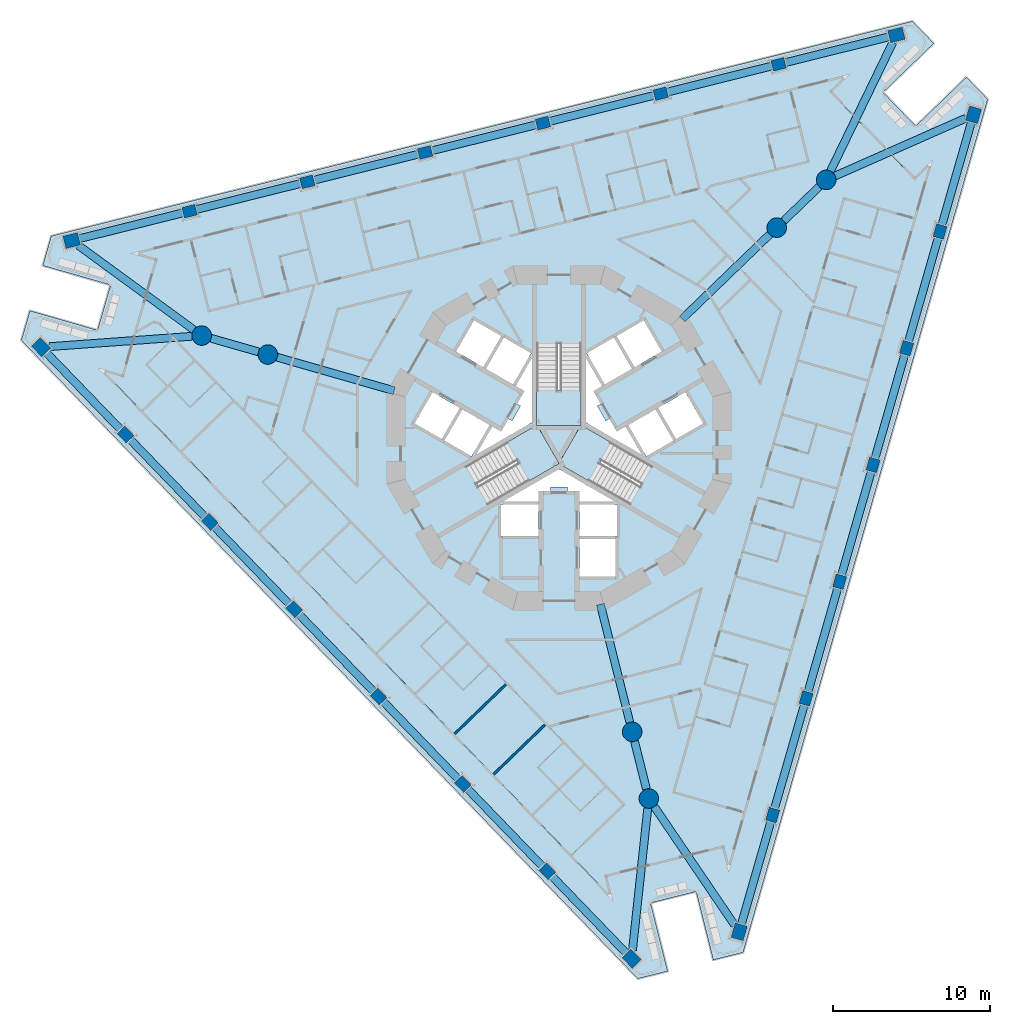
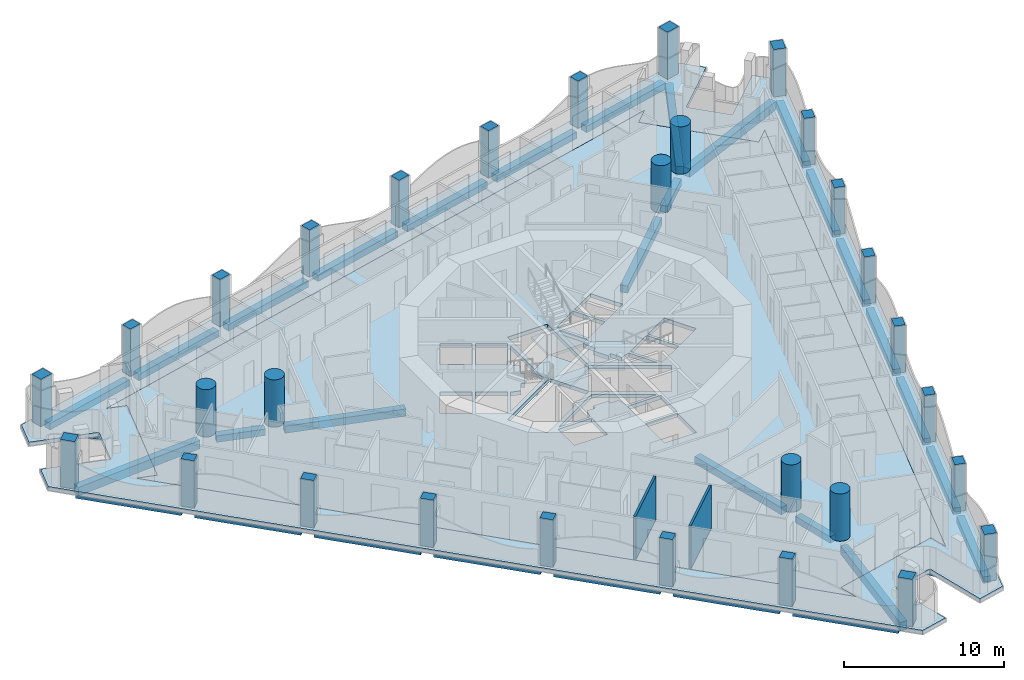
# One storey, part 1 of 19: 33 beams, 30 columns, 6 slabs, 2 walls, 3 elements without a shape of their own.
"""IFC4 building model written with IfcOpenShell, lengths in metres."""

from ifc_helpers import new_model, si_unit, direction, frame, frame_2d, origin, origin_2d, place, context, subcontext, project, spatial, polyline, rectangle, circle, outline, extrude, material, layer, layer_set, material_profile, profile_set, type_object, element, aggregate, save


model = new_model("IFC4")

# Units and contexts
model_context = context("Model", 3, precision=1e-05, world=origin(), true_north=direction((0.0, 1.0)))
body_context = subcontext(model_context, "Body", "Model", "MODEL_VIEW")
ifc_project = project(units=[si_unit("LENGTHUNIT", "METRE"), si_unit("AREAUNIT", "SQUARE_METRE"), si_unit("VOLUMEUNIT", "CUBIC_METRE"), si_unit("PLANEANGLEUNIT", "RADIAN"), si_unit("MASSUNIT", "GRAM", prefix="KILO")], contexts=[model_context])

# Site, building, storey
site_placement = place(None, origin())
site = spatial("IfcSite", under=ifc_project, at=site_placement, CompositionType="ELEMENT")
building_placement = place(site_placement, origin())
building = spatial("IfcBuilding", under=site, at=building_placement, Name="Trine Commons Tower", CompositionType="ELEMENT")
storey_placement = place(building_placement, frame((0.0, 0.0, 98.10009765625)))
storey = spatial("IfcBuildingStorey", under=building, at=storey_placement, Name="L24", CompositionType="ELEMENT", Elevation=98.10009765625)

# Columns
ifc_material_1 = material(Name="Concrete C70/85", Category="concrete")
ifc_material_profile_1 = material_profile(ifc_material_1, rectangle(XDim=0.85009765625, YDim=0.699951171875, at=origin_2d()), Name="RC 850x700")
ifc_profile_set_1 = profile_set([ifc_material_profile_1], Name="Concrete C70/85")
column_type_1 = type_object("IfcColumnType", Name="RC column 850x700, C70/85", PredefinedType="COLUMN", material=ifc_profile_set_1)
for number, where, z_axis, x_axis, name in (
    (1, (79.251708984375, 34.81640625, 0.0), (0.0, 0.0, 1.0), (-0.694658370459, 0.719339800339, 0.0), "Column PC3-02 L24"),
    (2, (73.86279296875, 40.396728515625, 0.0), (0.0, 0.0, 1.0), (-0.694658370459, 0.719339800339, 0.0), "Column PC3-03 L24"),
    (3, (68.473876953125, 45.977294921875, 0.0), (0.0, 0.0, 1.0), (-0.694658370459, 0.719339800339, 0.0), "Column PC3-04 L24"),
    (4, (63.0849609375, 51.5576171875, 0.0), (0.0, 0.0, 1.0), (-0.694658370459, 0.719339800339, 0.0), "Column PC3-05 L24"),
    (5, (57.696044921875, 57.137939453125, 0.0), (0.0, 0.0, 1.0), (-0.694658370459, 0.719339800339, 0.0), "Column PC3-06 L24"),
    (6, (52.30712890625, 62.71826171875, 0.0), (0.0, 0.0, 1.0), (-0.694658370459, 0.719339800339, 0.0), "Column PC3-07 L24"),
    (7, (56.3994140625, 76.98974609375, 0.0), (0.0, 0.0, 1.0), (0.970295726276, 0.2419218956, 0.0), "Column PC3-10 L24"),
    (8, (63.926513671875, 78.86669921875, 0.0), (0.0, 0.0, 1.0), (0.970295726276, 0.2419218956, 0.0), "Column PC3-11 L24"),
    (9, (71.453857421875, 80.743408203125, 0.0), (0.0, 0.0, 1.0), (0.970295726276, 0.2419218956, 0.0), "Column PC3-12 L24"),
    (10, (78.981201171875, 82.6201171875, 0.0), (0.0, 0.0, 1.0), (0.970295726276, 0.2419218956, 0.0), "Column PC3-13 L24"),
    (11, (86.50830078125, 84.496826171875, 0.0), (0.0, 0.0, 1.0), (0.970295726276, 0.2419218956, 0.0), "Column PC3-14 L24"),
    (12, (94.035400390625, 86.37353515625, 0.0), (0.0, 0.0, 1.0), (0.970295726276, 0.2419218956, 0.0), "Column PC3-15 L24"),
    (13, (104.348876953125, 75.69384765625, 0.0), (0.0, 0.0, 1.0), (0.275637355817, 0.961261695938, 0.0), "Column PC3-18 L24"),
    (14, (102.210693359375, 68.23681640625, 0.0), (0.0, 0.0, 1.0), (0.275637355817, 0.961261695938, 0.0), "Column PC3-19 L24"),
    (15, (100.072265625, 60.779541015625, 0.0), (0.0, 0.0, 1.0), (0.275637355817, 0.961261695938, 0.0), "Column PC3-20 L24"),
    (16, (97.93408203125, 53.322509765625, 0.0), (0.0, 0.0, 1.0), (0.275637355817, 0.961261695938, 0.0), "Column PC3-21 L24"),
    (17, (95.795654296875, 45.865234375, 0.0), (0.0, 0.0, 1.0), (0.275637355817, 0.961261695938, 0.0), "Column PC3-22 L24"),
    (18, (93.657470703125, 38.408203125, 0.0), (0.0, 0.0, 1.0), (0.275637355817, 0.961261695938, 0.0), "Column PC3-23 L24"),
):
    element("IfcColumn", number, at=place(storey_placement, frame(where, z_axis=z_axis, x_axis=x_axis)), inside=storey, type_object=column_type_1, Name=name, PredefinedType="COLUMN", context=body_context, shape_type="SweptSolid", body=[
        extrude(rectangle(XDim=0.85009765625, YDim=0.699951171875, at=origin_2d()), origin(), (0.0, 0.0, 1.0), 3.599853515625),
    ])
ifc_material_profile_2 = material_profile(ifc_material_1, rectangle(XDim=0.949951171875, YDim=0.800048828125, at=origin_2d()), Name="RC 950x800")
ifc_profile_set_2 = profile_set([ifc_material_profile_2], Name="Concrete C70/85")
column_type_2 = type_object("IfcColumnType", Name="RC column 950x800, C70/85", PredefinedType="COLUMN", material=ifc_profile_set_2)
for number, where, z_axis, x_axis, name in (
    (19, (84.640625, 29.236083984375, 0.0), (0.0, 0.0, 1.0), (-0.694658370459, 0.719339800339, 0.0), "Column PC3-01 L24"),
    (20, (46.918212890625, 68.298583984375, 0.0), (0.0, 0.0, 1.0), (-0.694658370459, 0.719339800339, 0.0), "Column PC3-08 L24"),
    (21, (48.872314453125, 75.113037109375, 0.0), (0.0, 0.0, 1.0), (0.970295726276, 0.2419218956, 0.0), "Column PC3-09 L24"),
    (22, (101.562744140625, 88.250244140625, 0.0), (0.0, 0.0, 1.0), (0.970295726276, 0.2419218956, 0.0), "Column PC3-16 L24"),
    (23, (106.4873046875, 83.15087890625, 0.0), (0.0, 0.0, 1.0), (0.275637355817, 0.961261695938, 0.0), "Column PC3-17 L24"),
    (24, (91.51904296875, 30.950927734375, 0.0), (0.0, 0.0, 1.0), (0.275637355817, 0.961261695938, 0.0), "Column PC3-24 L24"),
):
    element("IfcColumn", number, at=place(storey_placement, frame(where, z_axis=z_axis, x_axis=x_axis)), inside=storey, type_object=column_type_2, Name=name, PredefinedType="COLUMN", context=body_context, shape_type="SweptSolid", body=[
        extrude(rectangle(XDim=0.949951171875, YDim=0.800048828125, at=origin_2d()), origin(), (0.0, 0.0, 1.0), 3.599853515625),
    ])
ifc_material_profile_3 = material_profile(ifc_material_1, circle(Radius=0.625, at=origin_2d()), Name="RC round 1250")
ifc_profile_set_3 = profile_set([ifc_material_profile_3], Name="Concrete C70/85")
column_type_3 = type_object("IfcColumnType", Name="RC round column 1250 mm, C70/85", PredefinedType="COLUMN", material=ifc_profile_set_3)
for number, where, z_axis, x_axis, name in (
    (25, (84.6806640625, 43.726806640625, 0.0), (0.0, 0.0, 1.0), (1.0, 0.0, 0.0), "Column WC3-1 L24"),
    (26, (85.742919921875, 39.4658203125, 0.0), (0.0, 0.0, 1.0), (1.0, 0.0, 0.0), "Column WC3-2 L24"),
    (27, (93.917724609375, 75.940185546875, 0.0), (0.0, 0.0, 1.0), (1.0, 0.0, 0.0), "Column WC3-3 L24"),
    (28, (97.07666015625, 78.99072265625, 0.0), (0.0, 0.0, 1.0), (1.0, 0.0, 0.0), "Column WC3-4 L24"),
    (29, (61.401611328125, 67.8330078125, 0.0), (0.0, 0.0, 1.0), (1.0, 0.0, 0.0), "Column WC3-5 L24"),
    (30, (57.180419921875, 69.04345703125, 0.0), (0.0, 0.0, 1.0), (1.0, 0.0, 0.0), "Column WC3-6 L24"),
):
    element("IfcColumn", number, at=place(storey_placement, frame(where, z_axis=z_axis, x_axis=x_axis)), inside=storey, type_object=column_type_3, Name=name, PredefinedType="COLUMN", context=body_context, shape_type="SweptSolid", body=[
        extrude(circle(Radius=0.625, at=origin_2d()), origin(), (0.0, 0.0, 1.0), 3.599853515625),
    ])

# Beams
ifc_material_2 = material(Name="Concrete C50/60", Category="concrete")
ifc_material_profile_4 = material_profile(ifc_material_2, rectangle(XDim=0.5, YDim=0.5, at=origin_2d()), Name="RC 500x500")
ifc_profile_set_4 = profile_set([ifc_material_profile_4], Name="Concrete C50/60")
beam_type_1 = type_object("IfcBeamType", Name="RC beam 500x500, C50/60", PredefinedType="BEAM", material=ifc_profile_set_4)
beam_1_placement = place(storey_placement, frame((84.310791015625, 29.57763671875, -0.550048828125), z_axis=(-0.694663760793, 0.719334594915, 0.0), x_axis=(-0.719334594915, -0.694663760793, 0.0)))
element("IfcBeam", 31, at=beam_1_placement, inside=storey, type_object=beam_type_1, Name="Beam EB3-01 L24", PredefinedType="BEAM", context=body_context, shape_type="SweptSolid", body=[
    extrude(rectangle(XDim=0.5, YDim=0.5, at=origin_2d()), origin(), (0.0, 0.0, 1.0), 6.85791015625),
])
for number, where, z_axis, x_axis, name in (
    (32, (78.95654296875, 35.1220703125, -0.550048828125), (-0.694664521959, 0.719333859854, 0.0), (-0.719333859854, -0.694664521959, 0.0), "Beam EB3-02 L24"),
    (33, (73.567626953125, 40.702392578125, -0.550048828125), (-0.694664521959, 0.719333859854, 0.0), (-0.719333859854, -0.694664521959, 0.0), "Beam EB3-03 L24"),
    (34, (68.1787109375, 46.282958984375, -0.550048828125), (-0.694664521959, 0.719333859854, 0.0), (-0.719333859854, -0.694664521959, 0.0), "Beam EB3-04 L24"),
    (35, (62.789794921875, 51.86328125, -0.550048828125), (-0.694664521959, 0.719333859854, 0.0), (-0.719333859854, -0.694664521959, 0.0), "Beam EB3-05 L24"),
    (36, (57.40087890625, 57.443603515625, -0.550048828125), (-0.694664521959, 0.719333859854, 0.0), (-0.719333859854, -0.694664521959, 0.0), "Beam EB3-06 L24"),
):
    element("IfcBeam", number, at=place(storey_placement, frame(where, z_axis=z_axis, x_axis=x_axis)), inside=storey, type_object=beam_type_1, Name=name, PredefinedType="BEAM", context=body_context, shape_type="SweptSolid", body=[
        extrude(rectangle(XDim=0.5, YDim=0.5, at=origin_2d()), origin(), (0.0, 0.0, 1.0), 6.90771484375),
    ])
for number, where, z_axis, x_axis, name in (
    (37, (52.011962890625, 63.02392578125, -0.550048828125), (-0.694645339139, 0.71935238431, 0.0), (-0.71935238431, -0.694645339139, 0.0), "Beam EB3-07 L24"),
    (38, (49.3330078125, 75.22802734375, -0.550048828125), (0.970299359004, 0.241907325057, 0.0), (-0.241907325057, 0.970299359004, 0.0), "Beam EB3-08 L24"),
):
    element("IfcBeam", number, at=place(storey_placement, frame(where, z_axis=z_axis, x_axis=x_axis)), inside=storey, type_object=beam_type_1, Name=name, PredefinedType="BEAM", context=body_context, shape_type="SweptSolid", body=[
        extrude(rectangle(XDim=0.5, YDim=0.5, at=origin_2d()), origin(), (0.0, 0.0, 1.0), 6.857666015625),
    ])
beam_2_placement = place(storey_placement, frame((56.811767578125, 77.092529296875, -0.550048828125), z_axis=(0.970285783578, 0.241961770093, 0.0), x_axis=(-0.241961770093, 0.970285783578, 0.0)))
element("IfcBeam", 39, at=beam_2_placement, inside=storey, type_object=beam_type_1, Name="Beam EB3-09 L24", PredefinedType="BEAM", context=body_context, shape_type="SweptSolid", body=[
    extrude(rectangle(XDim=0.5, YDim=0.5, at=origin_2d()), origin(), (0.0, 0.0, 1.0), 6.90771484375),
])
for number, where, z_axis, x_axis, name in (
    (40, (64.339111328125, 78.969482421875, -0.550048828125), (0.970302376924, 0.241895219745, 0.0), (-0.241895219745, 0.970302376924, 0.0), "Beam EB3-10 L24"),
    (41, (71.8662109375, 80.84619140625, -0.550048828125), (0.970294080751, 0.241928495346, 0.0), (-0.241928495346, 0.970294080751, 0.0), "Beam EB3-11 L24"),
    (42, (79.3935546875, 82.722900390625, -0.550048828125), (0.970294080751, 0.241928495346, 0.0), (-0.241928495346, 0.970294080751, 0.0), "Beam EB3-12 L24"),
    (43, (86.920654296875, 84.599609375, -0.550048828125), (0.970294080751, 0.241928495346, 0.0), (-0.241928495346, 0.970294080751, 0.0), "Beam EB3-13 L24"),
):
    element("IfcBeam", number, at=place(storey_placement, frame(where, z_axis=z_axis, x_axis=x_axis)), inside=storey, type_object=beam_type_1, Name=name, PredefinedType="BEAM", context=body_context, shape_type="SweptSolid", body=[
        extrude(rectangle(XDim=0.5, YDim=0.5, at=origin_2d()), origin(), (0.0, 0.0, 1.0), 6.907470703125),
    ])
for number, where, z_axis, x_axis, name in (
    (44, (94.447998046875, 86.476318359375, -0.550048828125), (0.970288918196, 0.241949199679, 0.0), (-0.241949199679, 0.970288918196, 0.0), "Beam EB3-14 L24"),
    (45, (106.356201171875, 82.6943359375, -0.550048828125), (-0.275623797229, -0.961265583697, 0.0), (0.961265583697, -0.275623797229, 0.0), "Beam EB3-15 L24"),
):
    element("IfcBeam", number, at=place(storey_placement, frame(where, z_axis=z_axis, x_axis=x_axis)), inside=storey, type_object=beam_type_1, Name=name, PredefinedType="BEAM", context=body_context, shape_type="SweptSolid", body=[
        extrude(rectangle(XDim=0.5, YDim=0.5, at=origin_2d()), origin(), (0.0, 0.0, 1.0), 6.857666015625),
    ])
for number, where, z_axis, x_axis, name in (
    (46, (104.231689453125, 75.285400390625, -0.550048828125), (-0.275640588881, -0.961260768866, 0.0), (0.961260768866, -0.275640588881, 0.0), "Beam EB3-16 L24"),
    (47, (102.093505859375, 67.828125, -0.550048828125), (-0.275640588881, -0.961260768866, 0.0), (0.961260768866, -0.275640588881, 0.0), "Beam EB3-17 L24"),
    (48, (99.955078125, 60.37109375, -0.550048828125), (-0.275640588881, -0.961260768866, 0.0), (0.961260768866, -0.275640588881, 0.0), "Beam EB3-18 L24"),
    (49, (97.81689453125, 52.913818359375, -0.550048828125), (-0.275640588881, -0.961260768866, 0.0), (0.961260768866, -0.275640588881, 0.0), "Beam EB3-19 L24"),
    (50, (95.6787109375, 45.456787109375, -0.550048828125), (-0.275673246186, -0.961251403816, 0.0), (0.961251403816, -0.275673246186, 0.0), "Beam EB3-20 L24"),
):
    element("IfcBeam", number, at=place(storey_placement, frame(where, z_axis=z_axis, x_axis=x_axis)), inside=storey, type_object=beam_type_1, Name=name, PredefinedType="BEAM", context=body_context, shape_type="SweptSolid", body=[
        extrude(rectangle(XDim=0.5, YDim=0.5, at=origin_2d()), origin(), (0.0, 0.0, 1.0), 6.90771484375),
    ])
beam_3_placement = place(storey_placement, frame((93.540283203125, 37.99951171875, -0.550048828125), z_axis=(-0.275666126975, -0.961253445476, 0.0), x_axis=(0.961253445476, -0.275666126975, 0.0)))
element("IfcBeam", 51, at=beam_3_placement, inside=storey, type_object=beam_type_1, Name="Beam EB3-21 L24", PredefinedType="BEAM", context=body_context, shape_type="SweptSolid", body=[
    extrude(rectangle(XDim=0.5, YDim=0.5, at=origin_2d()), origin(), (0.0, 0.0, 1.0), 6.857421875),
])
beam_4_placement = place(storey_placement, frame((84.831787109375, 43.12109375, -0.550048828125), z_axis=(0.241895853777, -0.97030221886, 0.0), x_axis=(0.97030221886, 0.241895853777, 0.0)))
element("IfcBeam", 52, at=beam_4_placement, inside=storey, type_object=beam_type_1, Name="Beam RB3-02 L24", PredefinedType="BEAM", context=body_context, shape_type="SweptSolid", body=[
    extrude(rectangle(XDim=0.5, YDim=0.5, at=origin_2d()), origin(), (0.0, 0.0, 1.0), 3.142822265625),
])
beam_5_placement = place(storey_placement, frame((94.366943359375, 76.3740234375, -0.550048828125), z_axis=(0.719314434863, 0.694684636218, 0.0), x_axis=(-0.694684636218, 0.719314434863, 0.0)))
element("IfcBeam", 53, at=beam_5_placement, inside=storey, type_object=beam_type_1, Name="Beam RB3-04 L24", PredefinedType="BEAM", context=body_context, shape_type="SweptSolid", body=[
    extrude(rectangle(XDim=0.5, YDim=0.5, at=origin_2d()), origin(), (0.0, 0.0, 1.0), 3.142333984375),
])
beam_6_placement = place(storey_placement, frame((60.80126953125, 68.005126953125, -0.550048828125), z_axis=(-0.961274333375, 0.275593280026, 0.0), x_axis=(-0.275593280026, -0.961274333375, 0.0)))
element("IfcBeam", 54, at=beam_6_placement, inside=storey, type_object=beam_type_1, Name="Beam RB3-06 L24", PredefinedType="BEAM", context=body_context, shape_type="SweptSolid", body=[
    extrude(rectangle(XDim=0.5, YDim=0.5, at=origin_2d()), origin(), (0.0, 0.0, 1.0), 3.14208984375),
])
ifc_material_profile_5 = material_profile(ifc_material_2, rectangle(XDim=0.5, YDim=0.550048828125, at=origin_2d()), Name="RC 500x550")
ifc_profile_set_5 = profile_set([ifc_material_profile_5], Name="Concrete C50/60")
beam_type_2 = type_object("IfcBeamType", Name="RC beam 500x550, C50/60", PredefinedType="BEAM", material=ifc_profile_set_5)
beam_7_placement = place(storey_placement, frame((82.648681640625, 51.876708984375, -0.5751953125), z_axis=(0.241937131507, -0.970291927411, 0.0), x_axis=(0.970291927411, 0.241937131507, 0.0)))
element("IfcBeam", 55, at=beam_7_placement, inside=storey, type_object=beam_type_2, Name="Beam RB3-01 L24", PredefinedType="BEAM", context=body_context, shape_type="SweptSolid", body=[
    extrude(rectangle(XDim=0.5, YDim=0.550048828125, at=origin_2d()), origin(), (0.0, 0.0, 1.0), 7.775146484375),
])
beam_8_placement = place(storey_placement, frame((87.875732421875, 70.105712890625, -0.5751953125), z_axis=(0.719355467287, 0.694642146493, 0.0), x_axis=(-0.694642146493, 0.719355467287, 0.0)))
element("IfcBeam", 56, at=beam_8_placement, inside=storey, type_object=beam_type_2, Name="Beam RB3-03 L24", PredefinedType="BEAM", context=body_context, shape_type="SweptSolid", body=[
    extrude(rectangle(XDim=0.5, YDim=0.550048828125, at=origin_2d()), origin(), (0.0, 0.0, 1.0), 7.774658203125),
])
beam_9_placement = place(storey_placement, frame((69.4755859375, 65.517822265625, -0.5751953125), z_axis=(-0.961260445822, 0.275641715452, 0.0), x_axis=(-0.275641715452, -0.961260445822, 0.0)))
element("IfcBeam", 57, at=beam_9_placement, inside=storey, type_object=beam_type_2, Name="Beam RB3-05 L24", PredefinedType="BEAM", context=body_context, shape_type="SweptSolid", body=[
    extrude(rectangle(XDim=0.5, YDim=0.550048828125, at=origin_2d()), origin(), (0.0, 0.0, 1.0), 7.77490234375),
])
ifc_material_profile_6 = material_profile(ifc_material_2, rectangle(XDim=0.5, YDim=0.64990234375, at=origin_2d()), Name="RC 500x650")
ifc_profile_set_6 = profile_set([ifc_material_profile_6], Name="Concrete C50/60")
beam_type_3 = type_object("IfcBeamType", Name="RC beam 500x650, C50/60", PredefinedType="BEAM", material=ifc_profile_set_6)
for number, where, z_axis, x_axis, name in (
    (58, (47.437744140625, 68.33642578125, -0.625), (0.997376868149, 0.07238358157, 0.0), (-0.07238358157, 0.997376868149, 0.0), "Beam CB3-01 L24"),
    (59, (49.29296875, 74.8056640625, -0.625), (0.807466452888, -0.589913491506, 0.0), (0.589913491506, 0.807466452888, 0.0), "Beam CB3-02 L24"),
    (60, (101.33544921875, 87.781494140625, -0.625), (-0.435985897384, -0.899953497289, 0.0), (0.899953497289, -0.435985897384, 0.0), "Beam CB3-03 L24"),
    (61, (106.0107421875, 82.940185546875, -0.625), (-0.914616807383, -0.404321772419, 0.0), (0.404321772419, -0.914616807383, 0.0), "Beam CB3-04 L24"),
):
    element("IfcBeam", number, at=place(storey_placement, frame(where, z_axis=z_axis, x_axis=x_axis)), inside=storey, type_object=beam_type_3, Name=name, PredefinedType="BEAM", context=body_context, shape_type="SweptSolid", body=[
        extrude(rectangle(XDim=0.5, YDim=0.64990234375, at=origin_2d()), origin(), (0.0, 0.0, 1.0), 9.143798828125),
    ])
beam_10_placement = place(storey_placement, frame((91.2265625, 31.382080078125, -0.625), z_axis=(-0.561374083617, 0.827562165788, 0.0), x_axis=(-0.827562165788, -0.561374083617, 0.0)))
element("IfcBeam", 62, at=beam_10_placement, inside=storey, type_object=beam_type_3, Name="Beam CB3-05 L24", PredefinedType="BEAM", context=body_context, shape_type="SweptSolid", body=[
    extrude(rectangle(XDim=0.5, YDim=0.64990234375, at=origin_2d()), origin(), (0.0, 0.0, 1.0), 9.143310546875),
])
beam_11_placement = place(storey_placement, frame((84.696533203125, 29.75390625, -0.625), z_axis=(0.107125177559, 0.994245541269, 0.0), x_axis=(-0.994245541269, 0.107125177559, 0.0)))
element("IfcBeam", 63, at=beam_11_placement, inside=storey, type_object=beam_type_3, Name="Beam CB3-06 L24", PredefinedType="BEAM", context=body_context, shape_type="SweptSolid", body=[
    extrude(rectangle(XDim=0.5, YDim=0.64990234375, at=origin_2d()), origin(), (0.0, 0.0, 1.0), 9.1435546875),
])

# Slabs
ifc_layer_1 = layer(ifc_material_2, 0.300048828125)
ifc_layer_set_1 = layer_set([ifc_layer_1], Name="Concrete C50/60")
slab_type_1 = type_object("IfcSlabType", Name="Loggia slab 300 mm, C50/60", PredefinedType="FLOOR", material=ifc_layer_set_1)
slab_1_placement = place(storey_placement, frame((0.0, 0.0, -0.300048828125)))
element("IfcSlab", 64, at=slab_1_placement, inside=storey, type_object=slab_type_1, Name="Loggia slab L24", PredefinedType="FLOOR", context=body_context, shape_type="SweptSolid", body=[
    extrude(outline(polyline([(91.764892578125, 29.632080078125), (107.394775390625, 84.13916015625), (106.0302734375, 85.552001953125), (102.793212890625, 82.426025390625), (100.709228515625, 84.583984375), (103.9462890625, 87.7099609375), (102.581787109375, 89.122802734375), (47.562744140625, 75.405029296875), (47.021240234375, 73.516845703125), (51.346923828125, 72.276611328125), (50.52001953125, 69.392822265625), (46.1943359375, 70.63330078125), (45.653076171875, 68.7451171875), (85.04248046875, 27.9560546875), (86.948486328125, 28.43115234375), (85.85986328125, 32.797607421875), (88.7705078125, 33.523193359375), (89.859375, 29.156982421875), (91.764892578125, 29.632080078125)]), holes=[polyline([(83.27587890625, 33.240478515625), (82.950439453125, 34.545654296875), (90.518798828125, 36.4326171875), (90.843994140625, 35.12744140625), (103.701416015625, 79.966796875), (102.73388671875, 79.032470703125), (97.315673828125, 84.643310546875), (98.283203125, 85.577392578125), (53.022705078125, 74.292724609375), (54.3154296875, 73.922119140625), (52.16552734375, 66.42431640625), (50.872802734375, 66.794921875), (83.27587890625, 33.240478515625)])]), origin(), (0.0, 0.0, 1.0), 0.300048828125),
])
ifc_layer_2 = layer(ifc_material_2, 0.300048828125)
ifc_layer_set_2 = layer_set([ifc_layer_2], Name="Concrete C50/60")
slab_type_2 = type_object("IfcSlabType", Name="PT flat slab 300 mm, C50/60", PredefinedType="FLOOR", material=ifc_layer_set_2)
slab_2_placement = place(storey_placement, frame((0.0, 0.0, -0.300048828125)))
element("IfcSlab", 65, at=slab_2_placement, inside=storey, type_object=slab_type_2, Name="Floor slab L24", PredefinedType="FLOOR", context=body_context, shape_type="SweptSolid", body=[
    extrude(outline(polyline([(50.872802734375, 66.794921875), (83.27587890625, 33.240478515625), (82.950439453125, 34.545654296875), (90.518798828125, 36.4326171875), (90.843994140625, 35.12744140625), (103.701416015625, 79.966796875), (102.73388671875, 79.032470703125), (97.315673828125, 84.643310546875), (98.283203125, 85.577392578125), (53.022705078125, 74.292724609375), (54.3154296875, 73.922119140625), (52.16552734375, 66.42431640625), (50.872802734375, 66.794921875)]), holes=[polyline([(76.300048828125, 56.25), (78.699951171875, 56.25), (78.699951171875, 58.25), (76.300048828125, 58.25), (76.300048828125, 56.25)]), polyline([(81.14990234375, 59.10009765625), (81.300048828125, 58.449951171875), (83.56494140625, 58.449951171875), (80.0, 60.508056640625), (76.43505859375, 58.449951171875), (78.699951171875, 58.449951171875), (78.85009765625, 59.10009765625), (79.449951171875, 59.10009765625), (79.449951171875, 59.360107421875), (80.550048828125, 59.360107421875), (80.550048828125, 59.10009765625), (81.14990234375, 59.10009765625)]), polyline([(80.0, 60.8544921875), (84.4755859375, 58.2705078125), (85.900390625, 60.73876953125), (81.425048828125, 63.32275390625), (81.425048828125, 68.490478515625), (78.574951171875, 68.490478515625), (78.574951171875, 63.32275390625), (74.099609375, 60.73876953125), (75.5244140625, 58.2705078125), (80.0, 60.8544921875)]), polyline([(73.83740234375, 64.325927734375), (72.687255859375, 62.333984375), (74.41943359375, 61.333984375), (75.5693359375, 63.325927734375), (73.83740234375, 64.325927734375)]), polyline([(71.93212890625, 65.426025390625), (70.781982421875, 63.43408203125), (72.51416015625, 62.43408203125), (73.6640625, 64.426025390625), (71.93212890625, 65.426025390625)]), polyline([(76.781005859375, 63.722900390625), (76.381103515625, 63.031005859375), (75.742919921875, 63.22607421875), (74.7099609375, 61.43798828125), (78.27490234375, 63.49609375), (78.27490234375, 67.612060546875), (77.242919921875, 65.823974609375), (77.73095703125, 65.368896484375), (77.3310546875, 64.676025390625), (77.555908203125, 64.5458984375), (77.006103515625, 63.593994140625), (76.781005859375, 63.722900390625)]), polyline([(76.4873046875, 68.916015625), (75.33740234375, 66.924072265625), (77.0693359375, 65.924072265625), (78.219482421875, 67.916015625), (76.4873046875, 68.916015625)]), polyline([(74.58203125, 70.015869140625), (73.43212890625, 68.02392578125), (75.1640625, 67.02392578125), (76.314208984375, 69.015869140625), (74.58203125, 70.015869140625)]), polyline([(81.300048828125, 53.64990234375), (83.60009765625, 53.64990234375), (83.60009765625, 56.050048828125), (81.300048828125, 56.050048828125), (81.300048828125, 53.64990234375)]), polyline([(81.300048828125, 56.25), (83.699951171875, 56.25), (83.699951171875, 58.25), (81.300048828125, 58.25), (81.300048828125, 56.25)]), polyline([(87.312744140625, 62.333984375), (86.16259765625, 64.325927734375), (84.4306640625, 63.325927734375), (85.58056640625, 61.333984375), (87.312744140625, 62.333984375)]), polyline([(89.218017578125, 63.43408203125), (88.06787109375, 65.426025390625), (86.3359375, 64.426025390625), (87.48583984375, 62.43408203125), (89.218017578125, 63.43408203125)]), polyline([(83.243896484375, 63.738037109375), (82.993896484375, 63.593994140625), (82.444091796875, 64.5458984375), (82.72705078125, 64.7099609375), (82.281005859375, 65.549072265625), (82.757080078125, 65.823974609375), (81.72509765625, 67.612060546875), (81.72509765625, 63.49609375), (85.2900390625, 61.43798828125), (84.257080078125, 63.22607421875), (83.618896484375, 63.031005859375), (83.243896484375, 63.738037109375)]), polyline([(82.9306640625, 65.924072265625), (84.66259765625, 66.924072265625), (83.5126953125, 68.916015625), (81.780517578125, 67.916015625), (82.9306640625, 65.924072265625)]), polyline([(84.8359375, 67.02392578125), (86.56787109375, 68.02392578125), (85.41796875, 70.015869140625), (83.685791015625, 69.015869140625), (84.8359375, 67.02392578125)])]), origin(), (0.0, 0.0, 1.0), 0.300048828125),
])
slab_3_placement = place(storey_placement, frame((0.0, 0.0, -0.300048828125)))
element("IfcSlab", 66, at=slab_3_placement, inside=storey, type_object=slab_type_2, Name="Floor slab L24 2", PredefinedType="FLOOR", context=body_context, shape_type="SweptSolid", body=[
    extrude(outline(polyline([(78.61328125, 63.300537109375), (80.0, 60.89892578125), (81.38671875, 63.300537109375), (78.61328125, 63.300537109375)])), origin(), (0.0, 0.0, 1.0), 0.300048828125),
])

# Stair, slab
stair_type = type_object("IfcStairType", Name="Exit stair, dog-leg, 24 risers of 150 mm", PredefinedType="HALF_TURN_STAIR", material=ifc_material_2)
stair_1_placement = place(storey_placement, origin())
stair_1 = element("IfcStair", 67, at=stair_1_placement, inside=storey, type_object=stair_type, Name="L24 Exit stair ST1A", PredefinedType="HALF_TURN_STAIR")
ifc_layer_3 = layer(ifc_material_2, 0.199951171875)
ifc_layer_set_3 = layer_set([ifc_layer_3], Name="Concrete C50/60")
slab_type_3 = type_object("IfcSlabType", Name="Stair landing slab 200 mm, C50/60", PredefinedType="LANDING", material=ifc_layer_set_3)
slab_4_placement = place(storey_placement, frame((0.0, 0.0, 1.599853515625)))
slab_4 = element("IfcSlab", 68, at=slab_4_placement, type_object=slab_type_3, Name="ST1A landing 1", PredefinedType="LANDING", context=body_context, shape_type="SweptSolid", body=[
    extrude(outline(polyline([(78.574951171875, 65.570556640625), (78.574951171875, 63.300537109375), (81.425048828125, 63.300537109375), (81.425048828125, 65.570556640625), (78.574951171875, 65.570556640625)])), origin(), (0.0, 0.0, 1.0), 0.199951171875),
])
aggregate(stair_1, [slab_4])

stair_2_placement = place(storey_placement, origin())
stair_2 = element("IfcStair", 69, at=stair_2_placement, inside=storey, type_object=stair_type, Name="L24 Exit stair ST2A", PredefinedType="HALF_TURN_STAIR")
slab_5_placement = place(storey_placement, frame((0.0, 0.0, 1.599853515625)))
slab_5 = element("IfcSlab", 70, at=slab_5_placement, type_object=slab_type_3, Name="ST2A landing 1", PredefinedType="LANDING", context=body_context, shape_type="SweptSolid", body=[
    extrude(outline(polyline([(78.05322265625, 59.730712890625), (80.019287109375, 60.86572265625), (78.59423828125, 63.333740234375), (76.628173828125, 62.19873046875), (78.05322265625, 59.730712890625)])), origin(), (0.0, 0.0, 1.0), 0.199951171875),
])
aggregate(stair_2, [slab_5])

stair_3_placement = place(storey_placement, origin())
stair_3 = element("IfcStair", 71, at=stair_3_placement, inside=storey, type_object=stair_type, Name="L24 Exit stair ST3A", PredefinedType="HALF_TURN_STAIR")
slab_6_placement = place(storey_placement, frame((0.0, 0.0, 1.599853515625)))
slab_6 = element("IfcSlab", 72, at=slab_6_placement, type_object=slab_type_3, Name="ST3A landing 1", PredefinedType="LANDING", context=body_context, shape_type="SweptSolid", body=[
    extrude(outline(polyline([(83.371826171875, 62.19873046875), (81.40576171875, 63.333740234375), (79.980712890625, 60.86572265625), (81.94677734375, 59.730712890625), (83.371826171875, 62.19873046875)])), origin(), (0.0, 0.0, 1.0), 0.199951171875),
])
aggregate(stair_3, [slab_6])

# Walls
ifc_material_3 = material(Name="Gypsum plasterboard on steel stud", Category="steel")
ifc_layer_4 = layer(ifc_material_3, 0.14990234375)
ifc_layer_set_4 = layer_set([ifc_layer_4], Name="Gypsum plasterboard on steel stud")
wall_type = type_object("IfcWallType", Name="Unit and corridor wall 150 mm, EI 60", PredefinedType="PARTITIONING", material=ifc_layer_set_4)
wall_1_placement = place(storey_placement, frame((73.334716796875, 43.5927734375, 0.0), z_axis=(0.0, 0.0, 1.0), x_axis=(0.719252426756, 0.694748837067, 0.0)))
element("IfcWall", 73, at=wall_1_placement, inside=storey, type_object=wall_type, Name="Partition 054", PredefinedType="PARTITIONING", context=body_context, shape_type="SweptSolid", body=[
    extrude(rectangle(XDim=4.5732421875, YDim=0.14990234375, at=frame_2d((2.28662109375, 0.0))), origin(), (0.0, 0.0, 1.0), 3.2998046875),
])
wall_2_placement = place(storey_placement, frame((75.826904296875, 41.01171875, 0.0), z_axis=(0.0, 0.0, 1.0), x_axis=(0.719333374814, 0.694665024223, 0.0)))
element("IfcWall", 74, at=wall_2_placement, inside=storey, type_object=wall_type, Name="Partition 059", PredefinedType="PARTITIONING", context=body_context, shape_type="SweptSolid", body=[
    extrude(rectangle(XDim=4.572265625, YDim=0.14990234375, at=frame_2d((2.2861328125, 0.0))), origin(), (0.0, 0.0, 1.0), 3.2998046875),
])

save(model, "model.ifc")
